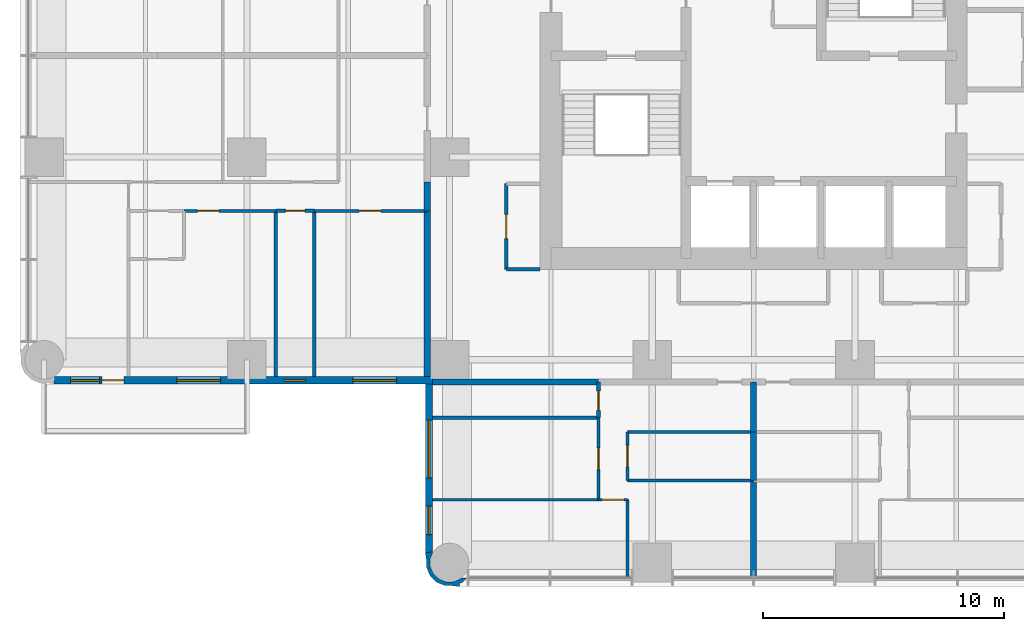
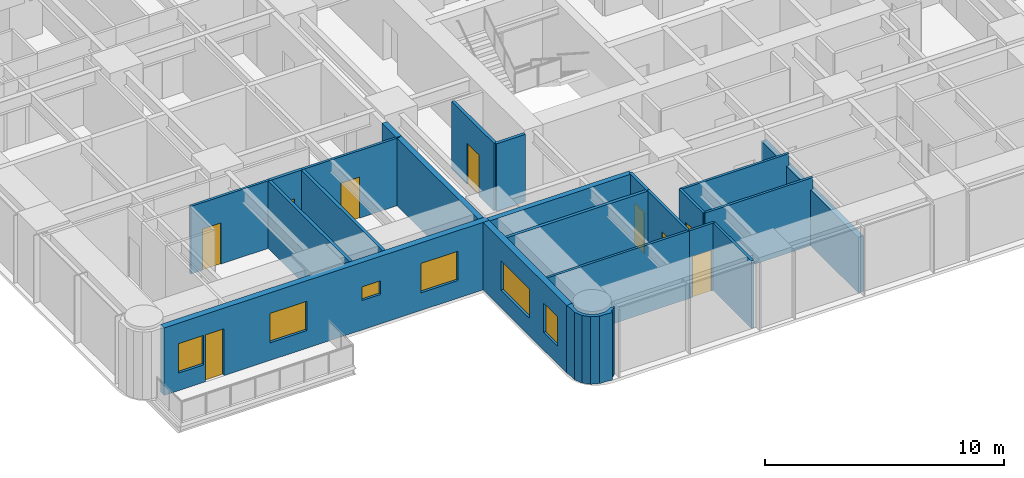
# One storey, part 6 of 15: 25 walls, 9 doors, 6 windows, 15 openings.
"""IFC4 building model written with IfcOpenShell, lengths in metres."""

from ifc_helpers import new_model, si_unit, direction, frame, frame_2d, origin, place, context, subcontext, project, spatial, polyline, rectangle, outline, extrude, material, layer, layer_set, type_object, element, fill, save


model = new_model("IFC4")

# Units and contexts
model_context = context("Model", 3, precision=1e-05, world=origin(), true_north=direction((0.0, 1.0)))
body_context = subcontext(model_context, "Body", "Model", "MODEL_VIEW")
ifc_project = project(units=[si_unit("LENGTHUNIT", "METRE"), si_unit("AREAUNIT", "SQUARE_METRE"), si_unit("VOLUMEUNIT", "CUBIC_METRE"), si_unit("PLANEANGLEUNIT", "RADIAN"), si_unit("MASSUNIT", "GRAM", prefix="KILO")], contexts=[model_context])

# Site, building, storey
site_placement = place(None, origin())
site = spatial("IfcSite", under=ifc_project, at=site_placement, CompositionType="ELEMENT")
building_placement = place(site_placement, origin())
building = spatial("IfcBuilding", under=site, at=building_placement, Name="Torre Alcanfor", CompositionType="ELEMENT")
storey_placement = place(building_placement, frame((0.0, 0.0, 148.5)))
storey = spatial("IfcBuildingStorey", under=building, at=storey_placement, Name="L38", CompositionType="ELEMENT", Elevation=148.5)

# Walls
ifc_material_1 = material(Name="Concrete block masonry, hollow blocks NMX-C-404 9 MPa", Category="masonry")
ifc_layer_1 = layer(ifc_material_1, 0.25)
ifc_layer_set_1 = layer_set([ifc_layer_1], Name="Apartment entrance wall 250 EI 60")
wall_type_1 = type_object("IfcWallType", Name="Apartment entrance wall 250 EI 60", PredefinedType="PARTITIONING", material=ifc_layer_set_1)
wall_1_placement = place(storey_placement, frame((22.970947265625, 15.875, 0.0), z_axis=(0.0, 0.0, 1.0), x_axis=(-1.0, 0.0, 0.0)))
element("IfcWall", 1, at=wall_1_placement, inside=storey, type_object=wall_type_1, Name="Partition L38-CORR / L38-S2-BATH", PredefinedType="PARTITIONING", context=body_context, shape_type="SweptSolid", body=[
    extrude(rectangle(XDim=6.870849609375, YDim=0.25, at=frame_2d((3.435546875, 0.0))), origin(), (0.0, 0.0, 1.0), 3.449951171875),
])
wall_2_placement = place(storey_placement, frame((15.875, 22.970947265625, 0.0), z_axis=(0.0, 0.0, 1.0), x_axis=(0.0, 1.0, 0.0)))
element("IfcWall", 2, at=wall_2_placement, inside=storey, type_object=wall_type_1, Name="Partition L38-CORR / L38-W1-HALL", PredefinedType="PARTITIONING", context=body_context, shape_type="SweptSolid", body=[
    extrude(rectangle(XDim=1.199951171875, YDim=0.25, at=frame_2d((0.60009765625, 0.0))), origin(), (0.0, 0.0, 1.0), 3.449951171875),
])
wall_3_placement = place(storey_placement, frame((15.875, 16.10009765625, 0.0), z_axis=(0.0, 0.0, 1.0), x_axis=(0.0, 1.0, 0.0)))
element("IfcWall", 3, at=wall_3_placement, inside=storey, type_object=wall_type_1, Name="Partition L38-CORR / L38-W1-BED2", PredefinedType="PARTITIONING", context=body_context, shape_type="SweptSolid", body=[
    extrude(rectangle(XDim=6.870849609375, YDim=0.25, at=frame_2d((3.435546875, 0.0))), origin(), (0.0, 0.0, 1.0), 3.449951171875),
])
ifc_material_2 = material(Name="Gypsum board on steel studs", Category="steel")
ifc_layer_2 = layer(ifc_material_2, 0.1201171875)
ifc_layer_set_2 = layer_set([ifc_layer_2], Name="Apartment partition 120")
wall_type_2 = type_object("IfcWallType", Name="Apartment partition 120", PredefinedType="PARTITIONING", material=ifc_layer_set_2)
wall_4_placement = place(storey_placement, frame((29.39990234375, 11.800048828125, 0.0), z_axis=(0.0, 0.0, 1.0), x_axis=(-1.0, 0.0, 0.0)))
element("IfcWall", 4, at=wall_4_placement, inside=storey, type_object=wall_type_2, Name="Partition L38-S2-KITCHEN / L38-S2-LIVING", PredefinedType="PARTITIONING", context=body_context, shape_type="SweptSolid", body=[
    extrude(rectangle(XDim=5.22900390625, YDim=0.1201171875, at=frame_2d((2.614501953125, 0.0))), origin(), (0.0, 0.0, 1.0), 3.449951171875),
])

# Wall, opening, door
wall_5_placement = place(storey_placement, frame((24.1708984375, 11.800048828125, 0.0), z_axis=(0.0, 0.0, 1.0), x_axis=(0.0, 1.0, 0.0)))
wall_5 = element("IfcWall", 5, at=wall_5_placement, inside=storey, type_object=wall_type_2, Name="Partition L38-S2-KITCHEN / L38-S2-LIVING", PredefinedType="PARTITIONING", context=body_context, shape_type="SweptSolid", body=[
    extrude(rectangle(XDim=2.0, YDim=0.1201171875, at=frame_2d((1.0, 0.0))), origin(), (0.0, 0.0, 1.0), 3.449951171875),
])
opening_1_placement = place(wall_5_placement, frame((0.550048828125, 0.0, 0.0)))
opening_1 = element("IfcOpeningElement", 6, at=opening_1_placement, cuts=wall_5, Name="Opening D-R1", PredefinedType="OPENING", context=body_context, shape_type="SweptSolid", body=[
    extrude(rectangle(XDim=0.89990234375, YDim=2.10009765625, at=frame_2d((0.449951171875, 1.050048828125))), frame((0.0, 0.070068359375, 0.0), z_axis=(0.0, -1.0, 0.0), x_axis=(1.0, 0.0, 0.0)), (0.0, 0.0, 1.0), 0.14013671875),
])
ifc_material_3 = material(Name="Timber", Category="wood")
door_type_1 = type_object("IfcDoorType", Name="Internal door 900x2100", OperationType="SINGLE_SWING_LEFT", PredefinedType="DOOR", material=ifc_material_3)
door_1_placement = place(opening_1_placement, frame((0.89990234375, 0.0, 0.0), z_axis=(0.0, 0.0, 1.0), x_axis=(-1.0, 0.0, 0.0)))
door_1 = element("IfcDoor", 7, at=door_1_placement, inside=storey, type_object=door_type_1, Name="Door L38-S2 kitchen", OperationType="SINGLE_SWING_RIGHT", OverallHeight=2.10009765625, OverallWidth=0.89990234375, PredefinedType="DOOR", context=body_context, shape_type="SweptSolid", body=[
    extrude(rectangle(XDim=0.89990234375, YDim=2.10009765625, at=frame_2d((0.449951171875, 1.050048828125))), frame((0.0, 0.025146484375, 0.0), z_axis=(0.0, -1.0, 0.0), x_axis=(1.0, 0.0, 0.0)), (0.0, 0.0, 1.0), 0.050048828125),
])
fill(opening_1, door_1)

# Wall
wall_6_placement = place(storey_placement, frame((24.1708984375, 13.800048828125, 0.0), z_axis=(0.0, 0.0, 1.0), x_axis=(1.0, 0.0, 0.0)))
element("IfcWall", 8, at=wall_6_placement, inside=storey, type_object=wall_type_2, Name="Partition L38-S2-KITCHEN / L38-S2-LIVING", PredefinedType="PARTITIONING", context=body_context, shape_type="SweptSolid", body=[
    extrude(rectangle(XDim=5.22900390625, YDim=0.1201171875, at=frame_2d((2.614501953125, 0.0))), origin(), (0.0, 0.0, 1.0), 3.449951171875),
])

# Wall, opening, door
wall_7_placement = place(storey_placement, frame((22.970947265625, 11.0, 0.0), z_axis=(0.0, 0.0, 1.0), x_axis=(0.0, 1.0, 0.0)))
wall_7 = element("IfcWall", 9, at=wall_7_placement, inside=storey, type_object=wall_type_2, Name="Partition L38-S2-LIVING / L38-S2-STUDY", PredefinedType="PARTITIONING", context=body_context, shape_type="SweptSolid", body=[
    extrude(rectangle(XDim=3.39990234375, YDim=0.1201171875, at=frame_2d((1.699951171875, 0.0))), origin(), (0.0, 0.0, 1.0), 3.449951171875),
])
opening_2_placement = place(wall_7_placement, frame((1.25, 0.0, 0.0)))
opening_2 = element("IfcOpeningElement", 10, at=opening_2_placement, cuts=wall_7, Name="Opening D-R1", PredefinedType="OPENING", context=body_context, shape_type="SweptSolid", body=[
    extrude(rectangle(XDim=0.89990234375, YDim=2.10009765625, at=frame_2d((0.449951171875, 1.050048828125))), frame((0.0, 0.070068359375, 0.0), z_axis=(0.0, -1.0, 0.0), x_axis=(1.0, 0.0, 0.0)), (0.0, 0.0, 1.0), 0.14013671875),
])
door_2_placement = place(opening_2_placement, origin())
door_2 = element("IfcDoor", 11, at=door_2_placement, inside=storey, type_object=door_type_1, Name="Door L38-S2 study", OperationType="SINGLE_SWING_LEFT", OverallHeight=2.10009765625, OverallWidth=0.89990234375, PredefinedType="DOOR", context=body_context, shape_type="SweptSolid", body=[
    extrude(rectangle(XDim=0.89990234375, YDim=2.10009765625, at=frame_2d((0.449951171875, 1.050048828125))), frame((0.0, 0.02490234375, 0.0), z_axis=(0.0, -1.0, 0.0), x_axis=(1.0, 0.0, 0.0)), (0.0, 0.0, 1.0), 0.050048828125),
])
fill(opening_2, door_2)

# Wall
wall_8_placement = place(storey_placement, frame((24.1708984375, 7.75, 0.0), z_axis=(0.0, 0.0, 1.0), x_axis=(0.0, 1.0, 0.0)))
element("IfcWall", 12, at=wall_8_placement, inside=storey, type_object=wall_type_2, Name="Partition L38-S2-LIVING / L38-S2-MASTER", PredefinedType="PARTITIONING", context=body_context, shape_type="SweptSolid", body=[
    extrude(rectangle(XDim=3.25, YDim=0.1201171875, at=frame_2d((1.625, 0.0))), origin(), (0.0, 0.0, 1.0), 3.449951171875),
])

# Wall, opening, door
wall_9_placement = place(storey_placement, frame((24.1708984375, 11.0, 0.0), z_axis=(0.0, 0.0, 1.0), x_axis=(-1.0, 0.0, 0.0)))
wall_9 = element("IfcWall", 13, at=wall_9_placement, inside=storey, type_object=wall_type_2, Name="Partition L38-S2-LIVING / L38-S2-MASTER", PredefinedType="PARTITIONING", context=body_context, shape_type="SweptSolid", body=[
    extrude(rectangle(XDim=1.199951171875, YDim=0.1201171875, at=frame_2d((0.60009765625, 0.0))), origin(), (0.0, 0.0, 1.0), 3.449951171875),
])
opening_3_placement = place(wall_9_placement, frame((0.15087890625, 0.0, 0.0)))
opening_3 = element("IfcOpeningElement", 14, at=opening_3_placement, cuts=wall_9, Name="Opening D-R1", PredefinedType="OPENING", context=body_context, shape_type="SweptSolid", body=[
    extrude(rectangle(XDim=0.89990234375, YDim=2.10009765625, at=frame_2d((0.449951171875, 1.050048828125))), frame((0.0, 0.070068359375, 0.0), z_axis=(0.0, -1.0, 0.0), x_axis=(1.0, 0.0, 0.0)), (0.0, 0.0, 1.0), 0.14013671875),
])
door_3_placement = place(opening_3_placement, origin())
door_3 = element("IfcDoor", 15, at=door_3_placement, inside=storey, type_object=door_type_1, Name="Door L38-S2 master", OperationType="SINGLE_SWING_LEFT", OverallHeight=2.10009765625, OverallWidth=0.89990234375, PredefinedType="DOOR", context=body_context, shape_type="SweptSolid", body=[
    extrude(rectangle(XDim=0.89990234375, YDim=2.10009765625, at=frame_2d((0.449951171875, 1.050048828125))), frame((0.0, 0.02490234375, 0.0), z_axis=(0.0, -1.0, 0.0), x_axis=(1.0, 0.0, 0.0)), (0.0, 0.0, 1.0), 0.050048828125),
])
fill(opening_3, door_3)

# Wall
wall_10_placement = place(storey_placement, frame((22.970947265625, 11.0, 0.0), z_axis=(0.0, 0.0, 1.0), x_axis=(-1.0, 0.0, 0.0)))
element("IfcWall", 16, at=wall_10_placement, inside=storey, type_object=wall_type_2, Name="Partition L38-S2-STUDY / L38-S2-MASTER", PredefinedType="PARTITIONING", context=body_context, shape_type="SweptSolid", body=[
    extrude(rectangle(XDim=6.870849609375, YDim=0.1201171875, at=frame_2d((3.435546875, 0.0))), origin(), (0.0, 0.0, 1.0), 3.449951171875),
])

# Wall, opening, door
wall_11_placement = place(storey_placement, frame((11.199951171875, 22.970947265625, 0.0), z_axis=(0.0, 0.0, 1.0), x_axis=(1.0, 0.0, 0.0)))
wall_11 = element("IfcWall", 17, at=wall_11_placement, inside=storey, type_object=wall_type_2, Name="Partition L38-W1-HALL / L38-W1-BED2", PredefinedType="PARTITIONING", context=body_context, shape_type="SweptSolid", body=[
    extrude(rectangle(XDim=4.675048828125, YDim=0.1201171875, at=frame_2d((2.33740234375, 0.0))), origin(), (0.0, 0.0, 1.0), 3.449951171875),
])
opening_4_placement = place(wall_11_placement, frame((1.85009765625, 0.0, 0.0)))
opening_4 = element("IfcOpeningElement", 18, at=opening_4_placement, cuts=wall_11, Name="Opening D-R1", PredefinedType="OPENING", context=body_context, shape_type="SweptSolid", body=[
    extrude(rectangle(XDim=0.89990234375, YDim=2.10009765625, at=frame_2d((0.449951171875, 1.050048828125))), frame((0.0, 0.070068359375, 0.0), z_axis=(0.0, -1.0, 0.0), x_axis=(1.0, 0.0, 0.0)), (0.0, 0.0, 1.0), 0.14013671875),
])
door_4_placement = place(opening_4_placement, frame((0.89990234375, 0.0, 0.0), z_axis=(0.0, 0.0, 1.0), x_axis=(-1.0, 0.0, 0.0)))
door_4 = element("IfcDoor", 19, at=door_4_placement, inside=storey, type_object=door_type_1, Name="Door L38-W1 bed2", OperationType="SINGLE_SWING_RIGHT", OverallHeight=2.10009765625, OverallWidth=0.89990234375, PredefinedType="DOOR", context=body_context, shape_type="SweptSolid", body=[
    extrude(rectangle(XDim=0.89990234375, YDim=2.10009765625, at=frame_2d((0.449951171875, 1.050048828125))), frame((0.0, 0.025146484375, 0.0), z_axis=(0.0, -1.0, 0.0), x_axis=(1.0, 0.0, 0.0)), (0.0, 0.0, 1.0), 0.050048828125),
])
fill(opening_4, door_4)

wall_12_placement = place(storey_placement, frame((5.800048828125, 22.970947265625, 0.0), z_axis=(0.0, 0.0, 1.0), x_axis=(1.0, 0.0, 0.0)))
wall_12 = element("IfcWall", 20, at=wall_12_placement, inside=storey, type_object=wall_type_2, Name="Partition L38-W1-HALL / L38-W1-MASTER", PredefinedType="PARTITIONING", context=body_context, shape_type="SweptSolid", body=[
    extrude(rectangle(XDim=3.800048828125, YDim=0.1201171875, at=frame_2d((1.89990234375, 0.0))), origin(), (0.0, 0.0, 1.0), 3.449951171875),
])
opening_5_placement = place(wall_12_placement, frame((0.550048828125, 0.0, 0.0)))
opening_5 = element("IfcOpeningElement", 21, at=opening_5_placement, cuts=wall_12, Name="Opening D-R1", PredefinedType="OPENING", context=body_context, shape_type="SweptSolid", body=[
    extrude(rectangle(XDim=0.89990234375, YDim=2.10009765625, at=frame_2d((0.449951171875, 1.050048828125))), frame((0.0, 0.070068359375, 0.0), z_axis=(0.0, -1.0, 0.0), x_axis=(1.0, 0.0, 0.0)), (0.0, 0.0, 1.0), 0.14013671875),
])
door_5_placement = place(opening_5_placement, frame((0.89990234375, 0.0, 0.0), z_axis=(0.0, 0.0, 1.0), x_axis=(-1.0, 0.0, 0.0)))
door_5 = element("IfcDoor", 22, at=door_5_placement, inside=storey, type_object=door_type_1, Name="Door L38-W1 master", OperationType="SINGLE_SWING_RIGHT", OverallHeight=2.10009765625, OverallWidth=0.89990234375, PredefinedType="DOOR", context=body_context, shape_type="SweptSolid", body=[
    extrude(rectangle(XDim=0.89990234375, YDim=2.10009765625, at=frame_2d((0.449951171875, 1.050048828125))), frame((0.0, 0.025146484375, 0.0), z_axis=(0.0, -1.0, 0.0), x_axis=(1.0, 0.0, 0.0)), (0.0, 0.0, 1.0), 0.050048828125),
])
fill(opening_5, door_5)

# Wall, openings, door, windows
ifc_material_4 = material(Name="Limestone cladding", Category="masonry")
ifc_layer_3 = layer(ifc_material_4, 0.0400390625, Name="Facing")
ifc_material_5 = material(Name="Ventilated air cavity")
ifc_layer_4 = layer(ifc_material_5, 0.02001953125, ventilated=True, Name="Ventilated joint")
ifc_material_6 = material(Name="Mineral wool insulation", Category="insulation")
ifc_layer_5 = layer(ifc_material_6, 0.10009765625, Name="Insulation")
ifc_material_7 = material(Name="Concrete f'c 35 MPa", Category="concrete")
ifc_layer_6 = layer(ifc_material_7, 0.139892578125, Name="Backing")
ifc_layer_set_3 = layer_set([ifc_layer_3, ifc_layer_4, ifc_layer_5, ifc_layer_6], Name="External wall stone-clad 300")
wall_type_3 = type_object("IfcWallType", Name="External wall stone-clad 300", PredefinedType="SOLIDWALL", material=ifc_layer_set_3)
wall_13_placement = place(storey_placement, frame((0.39990234375, 15.949951171875, 0.0), z_axis=(0.0, 0.0, 1.0), x_axis=(1.0, 0.0, 0.0)))
wall_13 = element("IfcWall", 23, at=wall_13_placement, inside=storey, type_object=wall_type_3, Name="External wall L38 3", PredefinedType="SOLIDWALL", context=body_context, shape_type="SweptSolid", body=[
    extrude(rectangle(XDim=15.7001953125, YDim=0.300048828125, at=frame_2d((7.85009765625, 0.0))), origin(), (0.0, 0.0, 1.0), 3.449951171875),
])
opening_6_placement = place(wall_13_placement, frame((12.39990234375, 0.0, 0.89990234375)))
opening_6 = element("IfcOpeningElement", 24, at=opening_6_placement, cuts=wall_13, Name="Opening W2", PredefinedType="OPENING", context=body_context, shape_type="SweptSolid", body=[
    extrude(rectangle(XDim=1.800048828125, YDim=1.5, at=frame_2d((0.89990234375, 0.75))), frame((0.0, 0.159912109375, 0.0), z_axis=(0.0, -1.0, 0.0), x_axis=(1.0, 0.0, 0.0)), (0.0, 0.0, 1.0), 0.320068359375),
])
opening_7_placement = place(wall_13_placement, frame((9.550048828125, 0.0, 1.5)))
opening_7 = element("IfcOpeningElement", 25, at=opening_7_placement, cuts=wall_13, Name="Opening W3", PredefinedType="OPENING", context=body_context, shape_type="SweptSolid", body=[
    extrude(rectangle(XDim=0.89990234375, YDim=0.699951171875, at=frame_2d((0.449951171875, 0.35009765625))), frame((0.0, 0.159912109375, 0.0), z_axis=(0.0, -1.0, 0.0), x_axis=(1.0, 0.0, 0.0)), (0.0, 0.0, 1.0), 0.320068359375),
])
opening_8_placement = place(wall_13_placement, frame((5.10009765625, 0.0, 0.89990234375)))
opening_8 = element("IfcOpeningElement", 26, at=opening_8_placement, cuts=wall_13, Name="Opening W2", PredefinedType="OPENING", context=body_context, shape_type="SweptSolid", body=[
    extrude(rectangle(XDim=1.800048828125, YDim=1.5, at=frame_2d((0.89990234375, 0.75))), frame((0.0, 0.159912109375, 0.0), z_axis=(0.0, -1.0, 0.0), x_axis=(1.0, 0.0, 0.0)), (0.0, 0.0, 1.0), 0.320068359375),
])
opening_9_placement = place(wall_13_placement, frame((2.0, 0.0, 0.0)))
opening_9 = element("IfcOpeningElement", 27, at=opening_9_placement, cuts=wall_13, Name="Opening D-B1", PredefinedType="OPENING", context=body_context, shape_type="SweptSolid", body=[
    extrude(rectangle(XDim=0.89990234375, YDim=2.39990234375, at=frame_2d((0.449951171875, 1.199951171875))), frame((0.0, 0.159912109375, 0.0), z_axis=(0.0, -1.0, 0.0), x_axis=(1.0, 0.0, 0.0)), (0.0, 0.0, 1.0), 0.320068359375),
])
opening_10_placement = place(wall_13_placement, frame((0.699951171875, 0.0, 0.89990234375)))
opening_10 = element("IfcOpeningElement", 28, at=opening_10_placement, cuts=wall_13, Name="Opening W4", PredefinedType="OPENING", context=body_context, shape_type="SweptSolid", body=[
    extrude(rectangle(XDim=1.199951171875, YDim=1.5, at=frame_2d((0.60009765625, 0.75))), frame((0.0, 0.159912109375, 0.0), z_axis=(0.0, -1.0, 0.0), x_axis=(1.0, 0.0, 0.0)), (0.0, 0.0, 1.0), 0.320068359375),
])
ifc_material_8 = material(Name="Aluminium and glass", Category="aluminium")
door_type_2 = type_object("IfcDoorType", Name="Balcony door glazed 900x2400", OperationType="SINGLE_SWING_LEFT", PredefinedType="DOOR", material=ifc_material_8)
door_6_placement = place(opening_9_placement, origin())
door_6 = element("IfcDoor", 29, at=door_6_placement, inside=storey, type_object=door_type_2, Name="Balcony door L38-W1", OperationType="SINGLE_SWING_RIGHT", OverallHeight=2.39990234375, OverallWidth=0.89990234375, PredefinedType="DOOR", context=body_context, shape_type="SweptSolid", body=[
    extrude(rectangle(XDim=0.89990234375, YDim=2.39990234375, at=frame_2d((0.449951171875, 1.199951171875))), frame((0.0, 0.02490234375, 0.0), z_axis=(0.0, -1.0, 0.0), x_axis=(1.0, 0.0, 0.0)), (0.0, 0.0, 1.0), 0.050048828125),
])
fill(opening_9, door_6)
ifc_material_9 = material(Name="Aluminium frame with clear double glazing", Category="aluminium")
window_type_1 = type_object("IfcWindowType", Name="Window bathroom 900x700", PartitioningType="SINGLE_PANEL", PredefinedType="WINDOW", material=ifc_material_9)
window_1_placement = place(opening_7_placement, origin())
window_1 = element("IfcWindow", 30, at=window_1_placement, inside=storey, type_object=window_type_1, Name="Window W3 L38-W1", OverallHeight=0.699951171875, OverallWidth=0.89990234375, PartitioningType="SINGLE_PANEL", PredefinedType="WINDOW", context=body_context, shape_type="SweptSolid", body=[
    extrude(rectangle(XDim=0.89990234375, YDim=0.699951171875, at=frame_2d((0.449951171875, 0.35009765625))), frame((0.0, 0.030029296875, 0.0), z_axis=(0.0, -1.0, 0.0), x_axis=(1.0, 0.0, 0.0)), (0.0, 0.0, 1.0), 0.06005859375),
])
fill(opening_7, window_1)
ifc_material_10 = material(Name="Aluminium frame with clear double glazing", Category="aluminium")
window_type_2 = type_object("IfcWindowType", Name="Window bedroom 1200x1500", PartitioningType="SINGLE_PANEL", PredefinedType="WINDOW", material=ifc_material_10)
window_2_placement = place(opening_10_placement, origin())
window_2 = element("IfcWindow", 31, at=window_2_placement, inside=storey, type_object=window_type_2, Name="Window W4 L38-W1", OverallHeight=1.5, OverallWidth=1.199951171875, PartitioningType="SINGLE_PANEL", PredefinedType="WINDOW", context=body_context, shape_type="SweptSolid", body=[
    extrude(rectangle(XDim=1.199951171875, YDim=1.5, at=frame_2d((0.60009765625, 0.75))), frame((0.0, 0.030029296875, 0.0), z_axis=(0.0, -1.0, 0.0), x_axis=(1.0, 0.0, 0.0)), (0.0, 0.0, 1.0), 0.06005859375),
])
fill(opening_10, window_2)
ifc_material_11 = material(Name="Aluminium frame with clear double glazing", Category="aluminium")
window_type_3 = type_object("IfcWindowType", Name="Window bedroom 1800x1500", PartitioningType="SINGLE_PANEL", PredefinedType="WINDOW", material=ifc_material_11)
window_3_placement = place(opening_6_placement, origin())
window_3 = element("IfcWindow", 32, at=window_3_placement, inside=storey, type_object=window_type_3, Name="Window W2 L38-W1", OverallHeight=1.5, OverallWidth=1.800048828125, PartitioningType="SINGLE_PANEL", PredefinedType="WINDOW", context=body_context, shape_type="SweptSolid", body=[
    extrude(rectangle(XDim=1.800048828125, YDim=1.5, at=frame_2d((0.89990234375, 0.75))), frame((0.0, 0.030029296875, 0.0), z_axis=(0.0, -1.0, 0.0), x_axis=(1.0, 0.0, 0.0)), (0.0, 0.0, 1.0), 0.06005859375),
])
fill(opening_6, window_3)
window_4_placement = place(opening_8_placement, origin())
window_4 = element("IfcWindow", 33, at=window_4_placement, inside=storey, type_object=window_type_3, Name="Window W2 L38-W1", OverallHeight=1.5, OverallWidth=1.800048828125, PartitioningType="SINGLE_PANEL", PredefinedType="WINDOW", context=body_context, shape_type="SweptSolid", body=[
    extrude(rectangle(XDim=1.800048828125, YDim=1.5, at=frame_2d((0.89990234375, 0.75))), frame((0.0, 0.030029296875, 0.0), z_axis=(0.0, -1.0, 0.0), x_axis=(1.0, 0.0, 0.0)), (0.0, 0.0, 1.0), 0.06005859375),
])
fill(opening_8, window_4)

# Wall, openings, windows
wall_14_placement = place(storey_placement, frame((15.949951171875, 15.800048828125, 0.0), z_axis=(0.0, 0.0, 1.0), x_axis=(0.0, -1.0, 0.0)))
wall_14 = element("IfcWall", 34, at=wall_14_placement, inside=storey, type_object=wall_type_3, Name="External wall L38 4", PredefinedType="SOLIDWALL", context=body_context, shape_type="SweptSolid", body=[
    extrude(rectangle(XDim=7.0, YDim=0.300048828125, at=frame_2d((3.5, 0.0))), origin(), (0.0, 0.0, 1.0), 3.449951171875),
])
opening_11_placement = place(wall_14_placement, frame((1.5, 0.0, 0.89990234375)))
opening_11 = element("IfcOpeningElement", 35, at=opening_11_placement, cuts=wall_14, Name="Opening W1", PredefinedType="OPENING", context=body_context, shape_type="SweptSolid", body=[
    extrude(rectangle(XDim=2.39990234375, YDim=1.5, at=frame_2d((1.199951171875, 0.75))), frame((0.0, 0.159912109375, 0.0), z_axis=(0.0, -1.0, 0.0), x_axis=(1.0, 0.0, 0.0)), (0.0, 0.0, 1.0), 0.320068359375),
])
opening_12_placement = place(wall_14_placement, frame((5.050048828125, 0.0, 0.89990234375)))
opening_12 = element("IfcOpeningElement", 36, at=opening_12_placement, cuts=wall_14, Name="Opening W4", PredefinedType="OPENING", context=body_context, shape_type="SweptSolid", body=[
    extrude(rectangle(XDim=1.199951171875, YDim=1.5, at=frame_2d((0.60009765625, 0.75))), frame((0.0, 0.159912109375, 0.0), z_axis=(0.0, -1.0, 0.0), x_axis=(1.0, 0.0, 0.0)), (0.0, 0.0, 1.0), 0.320068359375),
])
window_5_placement = place(opening_12_placement, origin())
window_5 = element("IfcWindow", 37, at=window_5_placement, inside=storey, type_object=window_type_2, Name="Window W4 L38-S2", OverallHeight=1.5, OverallWidth=1.199951171875, PartitioningType="SINGLE_PANEL", PredefinedType="WINDOW", context=body_context, shape_type="SweptSolid", body=[
    extrude(rectangle(XDim=1.199951171875, YDim=1.5, at=frame_2d((0.60009765625, 0.75))), frame((0.0, 0.030029296875, 0.0), z_axis=(0.0, -1.0, 0.0), x_axis=(1.0, 0.0, 0.0)), (0.0, 0.0, 1.0), 0.06005859375),
])
fill(opening_12, window_5)
ifc_material_12 = material(Name="Aluminium frame with clear double glazing", Category="aluminium")
window_type_4 = type_object("IfcWindowType", Name="Window bedroom 2400x1500", PartitioningType="SINGLE_PANEL", PredefinedType="WINDOW", material=ifc_material_12)
window_6_placement = place(opening_11_placement, origin())
window_6 = element("IfcWindow", 38, at=window_6_placement, inside=storey, type_object=window_type_4, Name="Window W1 L38-S2", OverallHeight=1.5, OverallWidth=2.39990234375, PartitioningType="SINGLE_PANEL", PredefinedType="WINDOW", context=body_context, shape_type="SweptSolid", body=[
    extrude(rectangle(XDim=2.39990234375, YDim=1.5, at=frame_2d((1.199951171875, 0.75))), frame((0.0, 0.030029296875, 0.0), z_axis=(0.0, -1.0, 0.0), x_axis=(1.0, 0.0, 0.0)), (0.0, 0.0, 1.0), 0.06005859375),
])
fill(opening_11, window_6)

# Walls
ifc_material_13 = material(Name="Concrete block masonry, hollow blocks NMX-C-404 9 MPa", Category="masonry")
ifc_layer_7 = layer(ifc_material_13, 0.25)
ifc_layer_set_4 = layer_set([ifc_layer_7], Name="Party wall 250 EI 60")
wall_type_4 = type_object("IfcWallType", Name="Party wall 250 EI 60", PredefinedType="PARTITIONING", material=ifc_layer_set_4)
wall_15_placement = place(storey_placement, frame((29.39990234375, 13.800048828125, 0.0), z_axis=(0.0, 0.0, 1.0), x_axis=(0.0, -1.0, 0.0)))
element("IfcWall", 39, at=wall_15_placement, inside=storey, type_object=wall_type_4, Name="Partition L38-S1-KITCHEN / L38-S2-KITCHEN", PredefinedType="PARTITIONING", context=body_context, shape_type="SweptSolid", body=[
    extrude(rectangle(XDim=2.0, YDim=0.25, at=frame_2d((1.0, 0.0))), origin(), (0.0, 0.0, 1.0), 2.847900390625),
])
wall_16_placement = place(storey_placement, frame((29.39990234375, 7.75, 0.0), z_axis=(0.0, 0.0, 1.0), x_axis=(0.0, 1.0, 0.0)))
element("IfcWall", 40, at=wall_16_placement, inside=storey, type_object=wall_type_4, Name="Partition L38-S1-LIVING / L38-S2-LIVING", PredefinedType="PARTITIONING", context=body_context, shape_type="SweptSolid", body=[
    extrude(rectangle(XDim=4.050048828125, YDim=0.25, at=frame_2d((2.02490234375, 0.0))), origin(), (0.0, 0.0, 1.0), 2.847900390625),
])
wall_17_placement = place(storey_placement, frame((29.39990234375, 13.800048828125, 0.0), z_axis=(0.0, 0.0, 1.0), x_axis=(0.0, 1.0, 0.0)))
element("IfcWall", 41, at=wall_17_placement, inside=storey, type_object=wall_type_4, Name="Partition L38-S1-LIVING / L38-S2-LIVING", PredefinedType="PARTITIONING", context=body_context, shape_type="SweptSolid", body=[
    extrude(rectangle(XDim=2.074951171875, YDim=0.25, at=frame_2d((1.03759765625, 0.0))), origin(), (0.0, 0.0, 1.0), 2.847900390625),
])

# Wall, opening, door
ifc_material_14 = material(Name="Concrete block masonry, hollow blocks NMX-C-404 9 MPa", Category="masonry")
ifc_layer_8 = layer(ifc_material_14, 0.14990234375)
ifc_layer_set_5 = layer_set([ifc_layer_8], Name="Residents' room partition 150")
wall_type_5 = type_object("IfcWallType", Name="Residents' room partition 150", PredefinedType="PARTITIONING", material=ifc_layer_set_5)
wall_18_placement = place(storey_placement, frame((19.14990234375, 24.10009765625, 0.0), z_axis=(0.0, 0.0, 1.0), x_axis=(0.0, -1.0, 0.0)))
wall_18 = element("IfcWall", 42, at=wall_18_placement, inside=storey, type_object=wall_type_5, Name="Partition L38-CORR / L38-G07", PredefinedType="PARTITIONING", context=body_context, shape_type="SweptSolid", body=[
    extrude(rectangle(XDim=3.550048828125, YDim=0.14990234375, at=frame_2d((1.77490234375, 0.0))), origin(), (0.0, 0.0, 1.0), 3.449951171875),
])
opening_13_placement = place(wall_18_placement, frame((1.27490234375, 0.0, 0.0)))
opening_13 = element("IfcOpeningElement", 43, at=opening_13_placement, cuts=wall_18, Name="Opening D-M1", PredefinedType="OPENING", context=body_context, shape_type="SweptSolid", body=[
    extrude(rectangle(XDim=1.0, YDim=2.10009765625, at=frame_2d((0.5, 1.050048828125))), frame((0.0, 0.0849609375, 0.0), z_axis=(0.0, -1.0, 0.0), x_axis=(1.0, 0.0, 0.0)), (0.0, 0.0, 1.0), 0.169921875),
])
ifc_material_15 = material(Name="Timber", Category="wood")
door_type_3 = type_object("IfcDoorType", Name="Residents' room door 1000x2100", OperationType="SINGLE_SWING_LEFT", PredefinedType="DOOR", material=ifc_material_15)
door_7_placement = place(opening_13_placement, origin())
door_7 = element("IfcDoor", 44, at=door_7_placement, inside=storey, type_object=door_type_3, Name="Door L38-G07 pram and buggy store", OperationType="SINGLE_SWING_LEFT", OverallHeight=2.10009765625, OverallWidth=1.0, PredefinedType="DOOR", context=body_context, shape_type="SweptSolid", body=[
    extrude(rectangle(XDim=1.0, YDim=2.10009765625, at=frame_2d((0.5, 1.050048828125))), frame((0.0, 0.02490234375, 0.0), z_axis=(0.0, -1.0, 0.0), x_axis=(1.0, 0.0, 0.0)), (0.0, 0.0, 1.0), 0.050048828125),
])
fill(opening_13, door_7)

# Walls
wall_19_placement = place(storey_placement, frame((19.14990234375, 20.550048828125, 0.0), z_axis=(0.0, 0.0, 1.0), x_axis=(1.0, 0.0, 0.0)))
element("IfcWall", 45, at=wall_19_placement, inside=storey, type_object=wall_type_5, Name="Partition L38-CORR / L38-G07", PredefinedType="PARTITIONING", context=body_context, shape_type="SweptSolid", body=[
    extrude(rectangle(XDim=1.400146484375, YDim=0.14990234375, at=frame_2d((0.7001953125, 0.0))), origin(), (0.0, 0.0, 1.0), 3.449951171875),
])
ifc_layer_9 = layer(ifc_material_4, 0.0400390625, Name="Facing")
ifc_layer_10 = layer(ifc_material_5, 0.02001953125, ventilated=True, Name="Ventilated joint")
ifc_layer_11 = layer(ifc_material_6, 0.10009765625, Name="Insulation")
ifc_layer_12 = layer(ifc_material_7, 0.139892578125, Name="Backing")
ifc_layer_set_6 = layer_set([ifc_layer_9, ifc_layer_10, ifc_layer_11, ifc_layer_12], Name="Rounded corner pier stone-clad 300")
wall_type_6 = type_object("IfcWallType", Name="Rounded corner pier stone-clad 300", PredefinedType="SOLIDWALL", material=ifc_layer_set_6)
wall_20_placement = place(storey_placement, frame((15.982940512, 8.726823795, 0.0), z_axis=(0.0, 0.0, 1.0), x_axis=(-0.343276641956, -0.93923434088, 0.0)))
element("IfcWall", 46, at=wall_20_placement, inside=storey, type_object=wall_type_6, Name="Corner pier L38 15", PredefinedType="SOLIDWALL", context=body_context, shape_type="SweptSolid", body=[
    extrude(outline(polyline([(0.8285188621172053, 1.5985593448955209), (0.6965961152022397, 1.5690588556644411), (0.6041961706613557, 1.669674810951586), (0.3940973255728224, 1.767303623446145), (0.47128428534856764, 1.55611347990365), (0.5085447362659081, 1.5387992791780876), (0.7240402358503313, 1.3040772160031127), (0.8334093808094493, 1.0048338530031606), (0.8200582319080854, 0.6864716314609828), (0.6857640531711582, 0.3974683020769049), (0.4510419899961833, 0.18197280249248177), (0.15179862699623123, 0.07260365753336384), (-0.11622928371084919, 0.08407628105020303), (-0.1273371975026375, 0.0781969477675098), (-0.14614022874094865, 0.07132471030647711), (-0.0059930226407584886, -0.19691459363495123), (0.26574754989690047, -0.054967852634112954), (0.535410534485363, 0.043590089489965705), (0.8166395849446566, 0.30181686768145743), (0.9775598034528271, 0.6481198820896807), (0.9938114202888776, 1.0296668379252687), (0.8951696703908839, 1.299559127772735), (0.8285188621172053, 1.5985593448955209)])), origin(), (0.0, 0.0, 1.0), 3.449951171875),
])

# Wall, opening, door
ifc_material_16 = material(Name="Cement board on steel studs", Category="steel")
ifc_layer_13 = layer(ifc_material_16, 0.14990234375)
ifc_layer_set_7 = layer_set([ifc_layer_13], Name="Wet area partition 150")
wall_type_7 = type_object("IfcWallType", Name="Wet area partition 150", PredefinedType="PARTITIONING", material=ifc_layer_set_7)
wall_21_placement = place(storey_placement, frame((22.970947265625, 14.39990234375, 0.0), z_axis=(0.0, 0.0, 1.0), x_axis=(0.0, 1.0, 0.0)))
wall_21 = element("IfcWall", 47, at=wall_21_placement, inside=storey, type_object=wall_type_7, Name="Partition L38-S2-LIVING / L38-S2-BATH", PredefinedType="PARTITIONING", context=body_context, shape_type="SweptSolid", body=[
    extrude(rectangle(XDim=1.47509765625, YDim=0.14990234375, at=frame_2d((0.737548828125, 0.0))), origin(), (0.0, 0.0, 1.0), 3.449951171875),
])
opening_14_placement = place(wall_21_placement, frame((0.300048828125, 0.0, 0.0)))
opening_14 = element("IfcOpeningElement", 48, at=opening_14_placement, cuts=wall_21, Name="Opening D-R2", PredefinedType="OPENING", context=body_context, shape_type="SweptSolid", body=[
    extrude(rectangle(XDim=0.800048828125, YDim=2.10009765625, at=frame_2d((0.39990234375, 1.050048828125))), frame((0.0, 0.0849609375, 0.0), z_axis=(0.0, -1.0, 0.0), x_axis=(1.0, 0.0, 0.0)), (0.0, 0.0, 1.0), 0.169921875),
])
ifc_material_17 = material(Name="Timber", Category="wood")
door_type_4 = type_object("IfcDoorType", Name="Bathroom door 800x2100", OperationType="SINGLE_SWING_LEFT", PredefinedType="DOOR", material=ifc_material_17)
door_8_placement = place(opening_14_placement, origin())
door_8 = element("IfcDoor", 49, at=door_8_placement, inside=storey, type_object=door_type_4, Name="Door L38-S2 bath", OperationType="SINGLE_SWING_LEFT", OverallHeight=2.10009765625, OverallWidth=0.800048828125, PredefinedType="DOOR", context=body_context, shape_type="SweptSolid", body=[
    extrude(rectangle(XDim=0.800048828125, YDim=2.10009765625, at=frame_2d((0.39990234375, 1.050048828125))), frame((0.0, 0.02490234375, 0.0), z_axis=(0.0, -1.0, 0.0), x_axis=(1.0, 0.0, 0.0)), (0.0, 0.0, 1.0), 0.050048828125),
])
fill(opening_14, door_8)

# Wall
wall_22_placement = place(storey_placement, frame((22.970947265625, 14.39990234375, 0.0), z_axis=(0.0, 0.0, 1.0), x_axis=(-1.0, 0.0, 0.0)))
element("IfcWall", 50, at=wall_22_placement, inside=storey, type_object=wall_type_7, Name="Partition L38-S2-BATH / L38-S2-STUDY", PredefinedType="PARTITIONING", context=body_context, shape_type="SweptSolid", body=[
    extrude(rectangle(XDim=6.870849609375, YDim=0.14990234375, at=frame_2d((3.435546875, 0.0))), origin(), (0.0, 0.0, 1.0), 3.449951171875),
])

# Wall, opening, door
wall_23_placement = place(storey_placement, frame((9.60009765625, 22.970947265625, 0.0), z_axis=(0.0, 0.0, 1.0), x_axis=(1.0, 0.0, 0.0)))
wall_23 = element("IfcWall", 51, at=wall_23_placement, inside=storey, type_object=wall_type_7, Name="Partition L38-W1-HALL / L38-W1-BATH1", PredefinedType="PARTITIONING", context=body_context, shape_type="SweptSolid", body=[
    extrude(rectangle(XDim=1.599853515625, YDim=0.14990234375, at=frame_2d((0.7998046875, 0.0))), origin(), (0.0, 0.0, 1.0), 3.449951171875),
])
opening_15_placement = place(wall_23_placement, frame((0.39990234375, 0.0, 0.0)))
opening_15 = element("IfcOpeningElement", 52, at=opening_15_placement, cuts=wall_23, Name="Opening D-R2", PredefinedType="OPENING", context=body_context, shape_type="SweptSolid", body=[
    extrude(rectangle(XDim=0.800048828125, YDim=2.10009765625, at=frame_2d((0.39990234375, 1.050048828125))), frame((0.0, 0.0849609375, 0.0), z_axis=(0.0, -1.0, 0.0), x_axis=(1.0, 0.0, 0.0)), (0.0, 0.0, 1.0), 0.169921875),
])
door_9_placement = place(opening_15_placement, frame((0.800048828125, 0.0, 0.0), z_axis=(0.0, 0.0, 1.0), x_axis=(-1.0, 0.0, 0.0)))
door_9 = element("IfcDoor", 53, at=door_9_placement, inside=storey, type_object=door_type_4, Name="Door L38-W1 bath1", OperationType="SINGLE_SWING_RIGHT", OverallHeight=2.10009765625, OverallWidth=0.800048828125, PredefinedType="DOOR", context=body_context, shape_type="SweptSolid", body=[
    extrude(rectangle(XDim=0.800048828125, YDim=2.10009765625, at=frame_2d((0.400146484375, 1.050048828125))), frame((0.0, 0.025146484375, 0.0), z_axis=(0.0, -1.0, 0.0), x_axis=(1.0, 0.0, 0.0)), (0.0, 0.0, 1.0), 0.050048828125),
])
fill(opening_15, door_9)

# Walls
for number, where, z_axis, x_axis, name in (
    (54, (11.199951171875, 22.970947265625, 0.0), (0.0, 0.0, 1.0), (0.0, -1.0, 0.0), "Partition L38-W1-BED2 / L38-W1-BATH1"),
    (55, (9.60009765625, 22.970947265625, 0.0), (0.0, 0.0, 1.0), (0.0, -1.0, 0.0), "Partition L38-W1-BATH1 / L38-W1-MASTER"),
):
    element("IfcWall", number, at=place(storey_placement, frame(where, z_axis=z_axis, x_axis=x_axis)), inside=storey, type_object=wall_type_7, Name=name, PredefinedType="PARTITIONING", context=body_context, shape_type="SweptSolid", body=[
        extrude(rectangle(XDim=6.870849609375, YDim=0.14990234375, at=frame_2d((3.435546875, 0.0))), origin(), (0.0, 0.0, 1.0), 3.449951171875),
    ])

save(model, "model.ifc")
